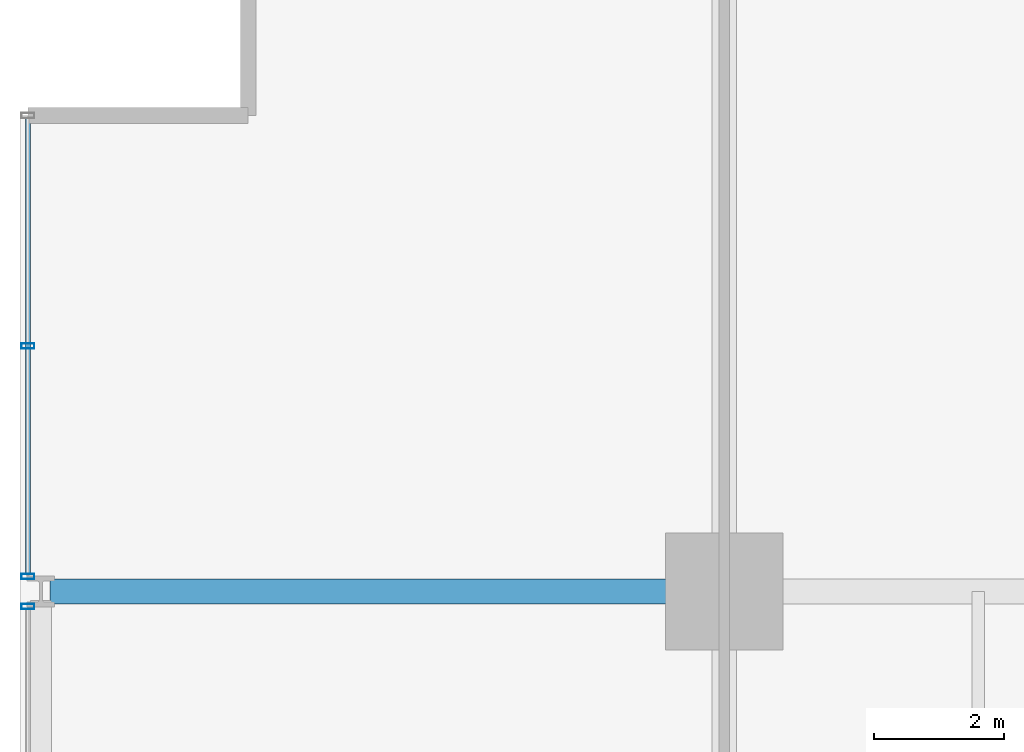
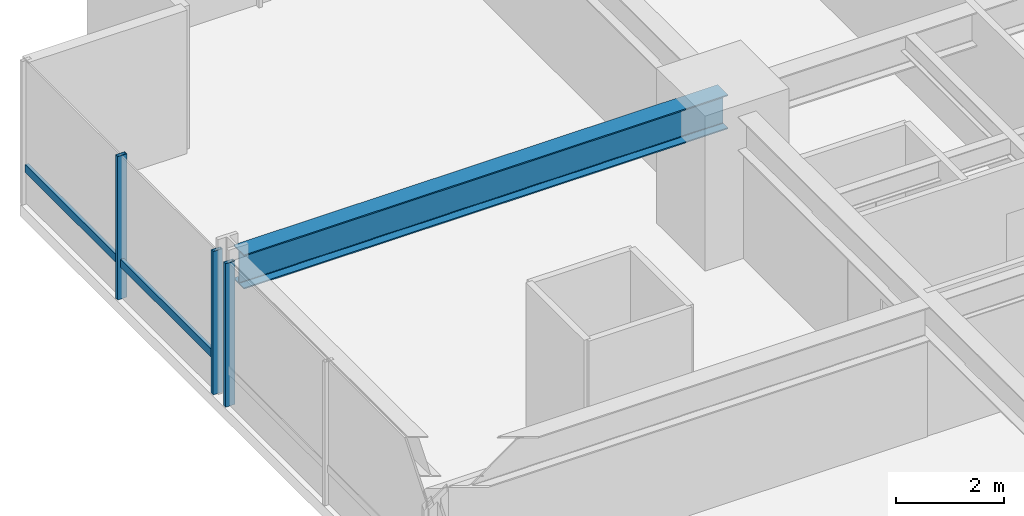
# One storey, part 19 of 38: 4 members, 1 beam, 2 elements without a shape of their own.
"""IFC4 building model written with IfcOpenShell, lengths in metres."""

from ifc_helpers import new_model, si_unit, direction, frame, origin, origin_2d, place, context, subcontext, project, spatial, hollow_rectangle, i_section, extrude, material, layer, layer_set, material_profile, profile_set, type_object, element, aggregate, save


model = new_model("IFC4")

# Units and contexts
model_context = context("Model", 3, precision=1e-05, world=origin(), true_north=direction((0.0, 1.0)))
body_context = subcontext(model_context, "Body", "Model", "MODEL_VIEW")
ifc_project = project(units=[si_unit("LENGTHUNIT", "METRE"), si_unit("AREAUNIT", "SQUARE_METRE"), si_unit("VOLUMEUNIT", "CUBIC_METRE"), si_unit("PLANEANGLEUNIT", "RADIAN"), si_unit("MASSUNIT", "GRAM", prefix="KILO")], contexts=[model_context])

# Site, building, storey
site_placement = place(None, origin())
site = spatial("IfcSite", under=ifc_project, at=site_placement, CompositionType="ELEMENT")
building_placement = place(site_placement, origin())
building = spatial("IfcBuilding", under=site, at=building_placement, Name="Drelvath Grand Hotel", CompositionType="ELEMENT")
storey_placement = place(building_placement, frame((0.0, 0.0, 71.699951171875)))
storey = spatial("IfcBuildingStorey", under=building, at=storey_placement, Name="L17", CompositionType="ELEMENT", Elevation=71.699951171875)

# Curtain wall, member
ifc_material_1 = material(Name="Warm Bronze Anodised Aluminium Frame", Category="aluminium")
ifc_layer = layer(ifc_material_1, 0.199951171875)
ifc_layer_set = layer_set([ifc_layer], Name="Warm Bronze Anodised Aluminium Frame")
curtain_wall_type = type_object("IfcCurtainWallType", Name="Stick Curtain Wall CW-02 Warm Bronze Low-Rise", PredefinedType="NOTDEFINED", material=ifc_layer_set)
curtain_wall_1_placement = place(storey_placement, origin())
curtain_wall_1 = element("IfcCurtainWall", 1, at=curtain_wall_1_placement, inside=storey, type_object=curtain_wall_type, Name="L17 CW-02 Curtain Wall CW02-L17-WN3", PredefinedType="NOTDEFINED")
ifc_material_profile_1 = material_profile(ifc_material_1, hollow_rectangle(XDim=0.074951171875, YDim=0.179931640625, WallThickness=0.0048828125, at=origin_2d()), Name="HSS180X75X5")
ifc_profile_set_1 = profile_set([ifc_material_profile_1], Name="Warm Bronze Anodised Aluminium Frame")
member_type_1 = type_object("IfcMemberType", Name="Curtain Wall Horizontal Transom CW-02 HSS180X75X5", PredefinedType="USERDEFINED", material=ifc_profile_set_1)
member_1_placement = place(storey_placement, frame((-26.8798828125, 43.468994140625, 0.81005859375), z_axis=(0.0, 1.0, 0.0), x_axis=(-1.0, 0.0, 0.0)))
member_1 = element("IfcMember", 2, at=member_1_placement, type_object=member_type_1, Name="CW02-L17-WN3 Sill Transom", ObjectType="TRANSOM", PredefinedType="USERDEFINED", context=body_context, shape_type="SweptSolid", body=[
    extrude(hollow_rectangle(XDim=0.074951171875, YDim=0.179931640625, WallThickness=0.0048828125, at=origin_2d()), origin(), (0.0, 0.0, 1.0), 6.990966796875),
])

curtain_wall_2_placement = place(storey_placement, origin())
curtain_wall_2 = element("IfcCurtainWall", 3, at=curtain_wall_2_placement, inside=storey, type_object=curtain_wall_type, Name="L17 CW-02 Curtain Wall CW02-L17-WN2", PredefinedType="NOTDEFINED")
ifc_material_profile_2 = material_profile(ifc_material_1, hollow_rectangle(XDim=0.080078125, YDim=0.199951171875, WallThickness=0.0048828125, at=origin_2d()), Name="HSS200X80X5")
ifc_profile_set_2 = profile_set([ifc_material_profile_2], Name="Warm Bronze Anodised Aluminium Frame")
member_type_2 = type_object("IfcMemberType", Name="Curtain Wall Vertical Mullion CW-02 HSS200X80X5", PredefinedType="MULLION", material=ifc_profile_set_2)
member_2_placement = place(storey_placement, frame((-26.8798828125, 42.970947265625, 0.0), z_axis=(0.0, 0.0, 1.0), x_axis=(0.0, 1.0, 0.0)))
member_2 = element("IfcMember", 4, at=member_2_placement, type_object=member_type_2, Name="CW02-L17-WN2 Mullion 3", PredefinedType="MULLION", context=body_context, shape_type="SweptSolid", body=[
    extrude(hollow_rectangle(XDim=0.080078125, YDim=0.199951171875, WallThickness=0.0048828125, at=origin_2d()), origin(), (0.0, 0.0, 1.0), 3.239990234375),
])
aggregate(curtain_wall_2, [member_2])

# Member
member_3_placement = place(storey_placement, frame((-26.8798828125, 43.42919921875, 0.0), z_axis=(0.0, 0.0, 1.0), x_axis=(0.0, 1.0, 0.0)))
member_3 = element("IfcMember", 5, at=member_3_placement, type_object=member_type_2, Name="CW02-L17-WN3 Mullion 1", PredefinedType="MULLION", context=body_context, shape_type="SweptSolid", body=[
    extrude(hollow_rectangle(XDim=0.080078125, YDim=0.199951171875, WallThickness=0.0048828125, at=origin_2d()), origin(), (0.0, 0.0, 1.0), 3.239990234375),
])

member_4_placement = place(storey_placement, frame((-26.8798828125, 46.964599609375, 0.0), z_axis=(0.0, 0.0, 1.0), x_axis=(0.0, 1.0, 0.0)))
member_4 = element("IfcMember", 6, at=member_4_placement, type_object=member_type_2, Name="CW02-L17-WN3 Mullion 2", PredefinedType="MULLION", context=body_context, shape_type="SweptSolid", body=[
    extrude(hollow_rectangle(XDim=0.080078125, YDim=0.199951171875, WallThickness=0.0048828125, at=origin_2d()), origin(), (0.0, 0.0, 1.0), 3.239990234375),
])

aggregate(curtain_wall_1, [member_3, member_4, member_1])

# Beam
ifc_material_2 = material(Name="Steel ASTM A992 Gr 50", Category="steel")
ifc_material_profile_3 = material_profile(ifc_material_2, i_section(OverallWidth=0.380615234375, OverallDepth=0.773193359375, WebThickness=0.0166015625, FlangeThickness=0.027099609375, FilletRadius=0.02490234375, at=origin_2d()), Name="W30X173")
ifc_profile_set_3 = profile_set([ifc_material_profile_3], Name="Steel ASTM A992 Gr 50")
beam_type = type_object("IfcBeamType", Name="Primary Floor Girder W30X173", PredefinedType="BEAM", material=ifc_profile_set_3)
beam_placement = place(storey_placement, frame((-26.5400390625, 43.199951171875, 2.853515625), z_axis=(1.0, 0.0, 0.0), x_axis=(0.0, 1.0, 0.0)))
element("IfcBeam", 7, at=beam_placement, inside=storey, type_object=beam_type, Name="L17 West Grid Girder G", PredefinedType="BEAM", context=body_context, shape_type="SweptSolid", body=[
    extrude(i_section(OverallWidth=0.380615234375, OverallDepth=0.773193359375, WebThickness=0.0166015625, FlangeThickness=0.027099609375, FilletRadius=0.02490234375, at=origin_2d()), origin(), (0.0, 0.0, 1.0), 10.340087890625),
])

save(model, "model.ifc")
